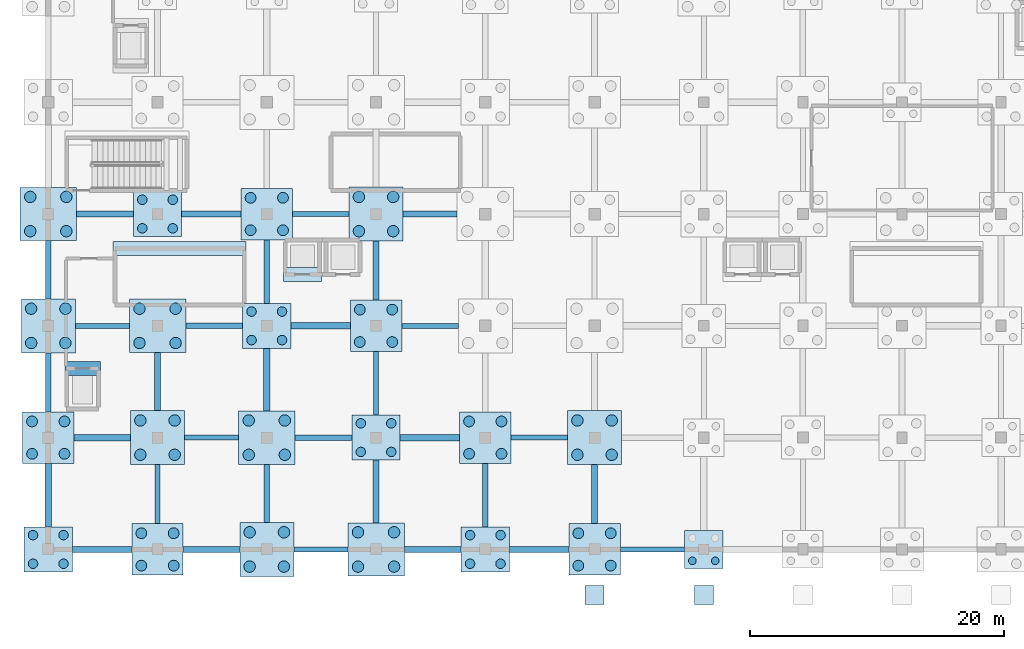
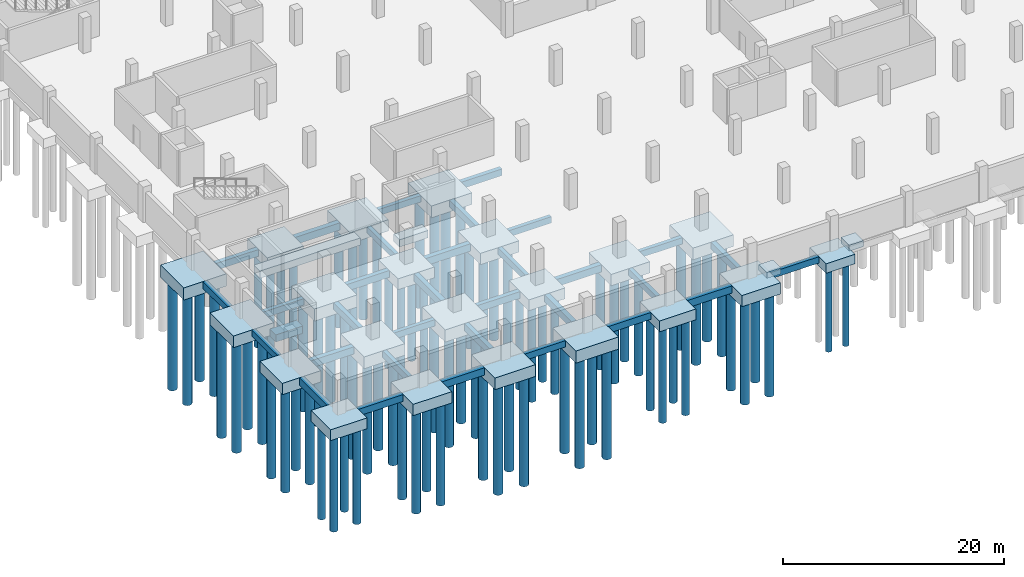
# One storey, part 1 of 28: 82 piles, 58 footings.
"""IFC4 building model written with IfcOpenShell, lengths in metres."""

from ifc_helpers import new_model, si_unit, direction, frame, origin, origin_2d, place, context, subcontext, project, spatial, rectangle, circle, extrude, material, material_profile, profile_set, type_object, element, save


model = new_model("IFC4")

# Units and contexts
model_context = context("Model", 3, precision=1e-05, world=origin(), true_north=direction((0.0, 1.0)))
body_context = subcontext(model_context, "Body", "Model", "MODEL_VIEW")
ifc_project = project(units=[si_unit("LENGTHUNIT", "METRE"), si_unit("AREAUNIT", "SQUARE_METRE"), si_unit("VOLUMEUNIT", "CUBIC_METRE"), si_unit("PLANEANGLEUNIT", "RADIAN"), si_unit("MASSUNIT", "GRAM", prefix="KILO")], contexts=[model_context])

# Site, building, storey
site_placement = place(None, origin())
site = spatial("IfcSite", under=ifc_project, at=site_placement, CompositionType="ELEMENT")
building_placement = place(site_placement, origin())
building = spatial("IfcBuilding", under=site, at=building_placement, Name="Varnakota Cinema and Media Centre", CompositionType="ELEMENT")
storey_placement = place(building_placement, frame((0.0, 0.0, -4.199951171875)))
storey = spatial("IfcBuildingStorey", under=building, at=storey_placement, Name="B1", CompositionType="ELEMENT", Elevation=-4.199951171875)

# Footings
ifc_material_1 = material(Name="Concrete M35", Category="concrete")
ifc_material_profile_1 = material_profile(ifc_material_1, rectangle(XDim=0.39990234375, YDim=0.699951171875, at=origin_2d()), Name="FB 400x700")
ifc_profile_set_1 = profile_set([ifc_material_profile_1], Name="Concrete M35")
footing_type_1 = type_object("IfcFootingType", Name="FB-400x700", PredefinedType="FOOTING_BEAM", material=ifc_profile_set_1)
footing_1_placement = place(storey_placement, frame((19.324951171875, 0.0, -0.60009765625), z_axis=(1.0, 0.0, 0.0), x_axis=(0.0, 1.0, 0.0)))
element("IfcFooting", 1, at=footing_1_placement, inside=storey, type_object=footing_type_1, Name="Foundation tie beam C-D/1", PredefinedType="FOOTING_BEAM", context=body_context, shape_type="SweptSolid", body=[
    extrude(rectangle(XDim=0.39990234375, YDim=0.699951171875, at=origin_2d()), origin(), (0.0, 0.0, 1.0), 4.25),
])
footing_2_placement = place(storey_placement, frame((45.02490234375, 0.0, -0.60009765625), z_axis=(1.0, 0.0, 0.0), x_axis=(0.0, 1.0, 0.0)))
element("IfcFooting", 2, at=footing_2_placement, inside=storey, type_object=footing_type_1, Name="Foundation tie beam F-G/1", PredefinedType="FOOTING_BEAM", context=body_context, shape_type="SweptSolid", body=[
    extrude(rectangle(XDim=0.39990234375, YDim=0.699951171875, at=origin_2d()), origin(), (0.0, 0.0, 1.0), 5.0751953125),
])
footing_3_placement = place(storey_placement, frame((10.72509765625, 8.800048828125, -0.60009765625), z_axis=(1.0, 0.0, 0.0), x_axis=(0.0, 1.0, 0.0)))
element("IfcFooting", 3, at=footing_3_placement, inside=storey, type_object=footing_type_1, Name="Foundation tie beam B-C/2", PredefinedType="FOOTING_BEAM", context=body_context, shape_type="SweptSolid", body=[
    extrude(rectangle(XDim=0.39990234375, YDim=0.699951171875, at=origin_2d()), origin(), (0.0, 0.0, 1.0), 4.25),
])
footing_4_placement = place(storey_placement, frame((36.425048828125, 8.800048828125, -0.60009765625), z_axis=(1.0, 0.0, 0.0), x_axis=(0.0, 1.0, 0.0)))
element("IfcFooting", 4, at=footing_4_placement, inside=storey, type_object=footing_type_1, Name="Foundation tie beam E-F/2", PredefinedType="FOOTING_BEAM", context=body_context, shape_type="SweptSolid", body=[
    extrude(rectangle(XDim=0.39990234375, YDim=0.699951171875, at=origin_2d()), origin(), (0.0, 0.0, 1.0), 4.449951171875),
])
footing_5_placement = place(storey_placement, frame((2.125, 17.60009765625, -0.60009765625), z_axis=(1.0, 0.0, 0.0), x_axis=(0.0, 1.0, 0.0)))
element("IfcFooting", 5, at=footing_5_placement, inside=storey, type_object=footing_type_1, Name="Foundation tie beam A-B/3", PredefinedType="FOOTING_BEAM", context=body_context, shape_type="SweptSolid", body=[
    extrude(rectangle(XDim=0.39990234375, YDim=0.699951171875, at=origin_2d()), origin(), (0.0, 0.0, 1.0), 4.25),
])
for number, where, z_axis, x_axis, name in (
    (6, (27.824951171875, 17.60009765625, -0.60009765625), (1.0, 0.0, 0.0), (0.0, 1.0, 0.0), "Foundation tie beam D-E/3"),
    (7, (19.22509765625, 26.39990234375, -0.60009765625), (1.0, 0.0, 0.0), (0.0, 1.0, 0.0), "Foundation tie beam C-D/4"),
):
    element("IfcFooting", number, at=place(storey_placement, frame(where, z_axis=z_axis, x_axis=x_axis)), inside=storey, type_object=footing_type_1, Name=name, PredefinedType="FOOTING_BEAM", context=body_context, shape_type="SweptSolid", body=[
        extrude(rectangle(XDim=0.39990234375, YDim=0.699951171875, at=origin_2d()), origin(), (0.0, 0.0, 1.0), 4.449951171875),
    ])
for number, where, z_axis, x_axis, name in (
    (8, (0.0, 10.824951171875, -0.60009765625), (0.0, 1.0, 0.0), (-1.0, 0.0, 0.0), "Foundation tie beam A/2-3"),
    (9, (8.60009765625, 2.02490234375, -0.60009765625), (0.0, 1.0, 0.0), (-1.0, 0.0, 0.0), "Foundation tie beam B/1-2"),
):
    element("IfcFooting", number, at=place(storey_placement, frame(where, z_axis=z_axis, x_axis=x_axis)), inside=storey, type_object=footing_type_1, Name=name, PredefinedType="FOOTING_BEAM", context=body_context, shape_type="SweptSolid", body=[
        extrude(rectangle(XDim=0.39990234375, YDim=0.699951171875, at=origin_2d()), origin(), (0.0, 0.0, 1.0), 4.650146484375),
    ])
for number, where, z_axis, x_axis, name in (
    (10, (17.199951171875, 19.375, -0.60009765625), (0.0, 1.0, 0.0), (-1.0, 0.0, 0.0), "Foundation tie beam C/3-4"),
    (11, (25.800048828125, 10.574951171875, -0.60009765625), (0.0, 1.0, 0.0), (-1.0, 0.0, 0.0), "Foundation tie beam D/2-3"),
    (12, (34.39990234375, 1.77490234375, -0.60009765625), (0.0, 1.0, 0.0), (-1.0, 0.0, 0.0), "Foundation tie beam E/1-2"),
):
    element("IfcFooting", number, at=place(storey_placement, frame(where, z_axis=z_axis, x_axis=x_axis)), inside=storey, type_object=footing_type_1, Name=name, PredefinedType="FOOTING_BEAM", context=body_context, shape_type="SweptSolid", body=[
        extrude(rectangle(XDim=0.39990234375, YDim=0.699951171875, at=origin_2d()), origin(), (0.0, 0.0, 1.0), 5.0),
    ])
ifc_material_2 = material(Name="Concrete M35", Category="concrete")
ifc_material_profile_2 = material_profile(ifc_material_2, rectangle(XDim=0.449951171875, YDim=0.75, at=origin_2d()), Name="FB 450x750")
ifc_profile_set_2 = profile_set([ifc_material_profile_2], Name="Concrete M35")
footing_type_2 = type_object("IfcFootingType", Name="FB-450x750", PredefinedType="FOOTING_BEAM", material=ifc_profile_set_2)
footing_6_placement = place(storey_placement, frame((1.89990234375, 0.0, -0.625), z_axis=(1.0, 0.0, 0.0), x_axis=(0.0, 1.0, 0.0)))
element("IfcFooting", 13, at=footing_6_placement, inside=storey, type_object=footing_type_2, Name="Foundation tie beam A-B/1", PredefinedType="FOOTING_BEAM", context=body_context, shape_type="SweptSolid", body=[
    extrude(rectangle(XDim=0.449951171875, YDim=0.75, at=origin_2d()), origin(), (0.0, 0.0, 1.0), 4.675048828125),
])
footing_7_placement = place(storey_placement, frame((28.02490234375, 0.0, -0.625), z_axis=(1.0, 0.0, 0.0), x_axis=(0.0, 1.0, 0.0)))
element("IfcFooting", 14, at=footing_7_placement, inside=storey, type_object=footing_type_2, Name="Foundation tie beam D-E/1", PredefinedType="FOOTING_BEAM", context=body_context, shape_type="SweptSolid", body=[
    extrude(rectangle(XDim=0.449951171875, YDim=0.75, at=origin_2d()), origin(), (0.0, 0.0, 1.0), 4.47509765625),
])
footing_8_placement = place(storey_placement, frame((19.425048828125, 8.800048828125, -0.625), z_axis=(1.0, 0.0, 0.0), x_axis=(0.0, 1.0, 0.0)))
element("IfcFooting", 15, at=footing_8_placement, inside=storey, type_object=footing_type_2, Name="Foundation tie beam C-D/2", PredefinedType="FOOTING_BEAM", context=body_context, shape_type="SweptSolid", body=[
    extrude(rectangle(XDim=0.449951171875, YDim=0.75, at=origin_2d()), origin(), (0.0, 0.0, 1.0), 4.474853515625),
])
footing_9_placement = place(storey_placement, frame((10.824951171875, 17.60009765625, -0.625), z_axis=(1.0, 0.0, 0.0), x_axis=(0.0, 1.0, 0.0)))
element("IfcFooting", 16, at=footing_9_placement, inside=storey, type_object=footing_type_2, Name="Foundation tie beam B-C/3", PredefinedType="FOOTING_BEAM", context=body_context, shape_type="SweptSolid", body=[
    extrude(rectangle(XDim=0.449951171875, YDim=0.75, at=origin_2d()), origin(), (0.0, 0.0, 1.0), 4.47509765625),
])
footing_10_placement = place(storey_placement, frame((2.22509765625, 26.39990234375, -0.625), z_axis=(1.0, 0.0, 0.0), x_axis=(0.0, 1.0, 0.0)))
element("IfcFooting", 17, at=footing_10_placement, inside=storey, type_object=footing_type_2, Name="Foundation tie beam A-B/4", PredefinedType="FOOTING_BEAM", context=body_context, shape_type="SweptSolid", body=[
    extrude(rectangle(XDim=0.449951171875, YDim=0.75, at=origin_2d()), origin(), (0.0, 0.0, 1.0), 4.474853515625),
])
footing_11_placement = place(storey_placement, frame((27.925048828125, 26.39990234375, -0.625), z_axis=(1.0, 0.0, 0.0), x_axis=(0.0, 1.0, 0.0)))
element("IfcFooting", 18, at=footing_11_placement, inside=storey, type_object=footing_type_2, Name="Foundation tie beam D-E/4", PredefinedType="FOOTING_BEAM", context=body_context, shape_type="SweptSolid", body=[
    extrude(rectangle(XDim=0.449951171875, YDim=0.75, at=origin_2d()), origin(), (0.0, 0.0, 1.0), 4.25),
])
for number, where, z_axis, x_axis, name in (
    (19, (0.0, 19.72509765625, -0.625), (0.0, 1.0, 0.0), (-1.0, 0.0, 0.0), "Foundation tie beam A/3-4"),
    (20, (8.60009765625, 10.925048828125, -0.625), (0.0, 1.0, 0.0), (-1.0, 0.0, 0.0), "Foundation tie beam B/2-3"),
    (21, (17.199951171875, 2.125, -0.625), (0.0, 1.0, 0.0), (-1.0, 0.0, 0.0), "Foundation tie beam C/1-2"),
):
    element("IfcFooting", number, at=place(storey_placement, frame(where, z_axis=z_axis, x_axis=x_axis)), inside=storey, type_object=footing_type_2, Name=name, PredefinedType="FOOTING_BEAM", context=body_context, shape_type="SweptSolid", body=[
        extrude(rectangle(XDim=0.449951171875, YDim=0.75, at=origin_2d()), origin(), (0.0, 0.0, 1.0), 4.574951171875),
    ])
footing_12_placement = place(storey_placement, frame((25.800048828125, 19.625, -0.625), z_axis=(0.0, 1.0, 0.0), x_axis=(-1.0, 0.0, 0.0)))
element("IfcFooting", 22, at=footing_12_placement, inside=storey, type_object=footing_type_2, Name="Foundation tie beam D/3-4", PredefinedType="FOOTING_BEAM", context=body_context, shape_type="SweptSolid", body=[
    extrude(rectangle(XDim=0.449951171875, YDim=0.75, at=origin_2d()), origin(), (0.0, 0.0, 1.0), 4.64990234375),
])
footing_13_placement = place(storey_placement, frame((43.0, 2.02490234375, -0.625), z_axis=(0.0, 1.0, 0.0), x_axis=(-1.0, 0.0, 0.0)))
element("IfcFooting", 23, at=footing_13_placement, inside=storey, type_object=footing_type_2, Name="Foundation tie beam F/1-2", PredefinedType="FOOTING_BEAM", context=body_context, shape_type="SweptSolid", body=[
    extrude(rectangle(XDim=0.449951171875, YDim=0.75, at=origin_2d()), origin(), (0.0, 0.0, 1.0), 4.650146484375),
])
ifc_material_3 = material(Name="Concrete M35", Category="concrete")
ifc_material_profile_3 = material_profile(ifc_material_3, rectangle(XDim=0.5, YDim=0.800048828125, at=origin_2d()), Name="FB 500x800")
ifc_profile_set_3 = profile_set([ifc_material_profile_3], Name="Concrete M35")
footing_type_3 = type_object("IfcFootingType", Name="FB-500x800", PredefinedType="FOOTING_BEAM", material=ifc_profile_set_3)
footing_14_placement = place(storey_placement, frame((10.625, 0.0, -0.650146484375), z_axis=(1.0, 0.0, 0.0), x_axis=(0.0, 1.0, 0.0)))
element("IfcFooting", 24, at=footing_14_placement, inside=storey, type_object=footing_type_3, Name="Foundation tie beam B-C/1", PredefinedType="FOOTING_BEAM", context=body_context, shape_type="SweptSolid", body=[
    extrude(rectangle(XDim=0.5, YDim=0.800048828125, at=origin_2d()), origin(), (0.0, 0.0, 1.0), 4.449951171875),
])
footing_15_placement = place(storey_placement, frame((36.300048828125, 0.0, -0.650146484375), z_axis=(1.0, 0.0, 0.0), x_axis=(0.0, 1.0, 0.0)))
element("IfcFooting", 25, at=footing_15_placement, inside=storey, type_object=footing_type_3, Name="Foundation tie beam E-F/1", PredefinedType="FOOTING_BEAM", context=body_context, shape_type="SweptSolid", body=[
    extrude(rectangle(XDim=0.5, YDim=0.800048828125, at=origin_2d()), origin(), (0.0, 0.0, 1.0), 4.675048828125),
])
footing_16_placement = place(storey_placement, frame((2.02490234375, 8.800048828125, -0.650146484375), z_axis=(1.0, 0.0, 0.0), x_axis=(0.0, 1.0, 0.0)))
element("IfcFooting", 26, at=footing_16_placement, inside=storey, type_object=footing_type_3, Name="Foundation tie beam A-B/2", PredefinedType="FOOTING_BEAM", context=body_context, shape_type="SweptSolid", body=[
    extrude(rectangle(XDim=0.5, YDim=0.800048828125, at=origin_2d()), origin(), (0.0, 0.0, 1.0), 4.4501953125),
])
footing_17_placement = place(storey_placement, frame((27.699951171875, 8.800048828125, -0.650146484375), z_axis=(1.0, 0.0, 0.0), x_axis=(0.0, 1.0, 0.0)))
element("IfcFooting", 27, at=footing_17_placement, inside=storey, type_object=footing_type_3, Name="Foundation tie beam D-E/2", PredefinedType="FOOTING_BEAM", context=body_context, shape_type="SweptSolid", body=[
    extrude(rectangle(XDim=0.5, YDim=0.800048828125, at=origin_2d()), origin(), (0.0, 0.0, 1.0), 4.675048828125),
])
footing_18_placement = place(storey_placement, frame((19.10009765625, 17.60009765625, -0.650146484375), z_axis=(1.0, 0.0, 0.0), x_axis=(0.0, 1.0, 0.0)))
element("IfcFooting", 28, at=footing_18_placement, inside=storey, type_object=footing_type_3, Name="Foundation tie beam C-D/3", PredefinedType="FOOTING_BEAM", context=body_context, shape_type="SweptSolid", body=[
    extrude(rectangle(XDim=0.5, YDim=0.800048828125, at=origin_2d()), origin(), (0.0, 0.0, 1.0), 4.6748046875),
])
footing_19_placement = place(storey_placement, frame((10.5, 26.39990234375, -0.650146484375), z_axis=(1.0, 0.0, 0.0), x_axis=(0.0, 1.0, 0.0)))
element("IfcFooting", 29, at=footing_19_placement, inside=storey, type_object=footing_type_3, Name="Foundation tie beam B-C/4", PredefinedType="FOOTING_BEAM", context=body_context, shape_type="SweptSolid", body=[
    extrude(rectangle(XDim=0.5, YDim=0.800048828125, at=origin_2d()), origin(), (0.0, 0.0, 1.0), 4.675048828125),
])
footing_20_placement = place(storey_placement, frame((0.0, 1.77490234375, -0.650146484375), z_axis=(0.0, 1.0, 0.0), x_axis=(-1.0, 0.0, 0.0)))
element("IfcFooting", 30, at=footing_20_placement, inside=storey, type_object=footing_type_3, Name="Foundation tie beam A/1-2", PredefinedType="FOOTING_BEAM", context=body_context, shape_type="SweptSolid", body=[
    extrude(rectangle(XDim=0.5, YDim=0.800048828125, at=origin_2d()), origin(), (0.0, 0.0, 1.0), 5.0),
])
footing_21_placement = place(storey_placement, frame((17.199951171875, 10.89990234375, -0.650146484375), z_axis=(0.0, 1.0, 0.0), x_axis=(-1.0, 0.0, 0.0)))
element("IfcFooting", 31, at=footing_21_placement, inside=storey, type_object=footing_type_3, Name="Foundation tie beam C/2-3", PredefinedType="FOOTING_BEAM", context=body_context, shape_type="SweptSolid", body=[
    extrude(rectangle(XDim=0.5, YDim=0.800048828125, at=origin_2d()), origin(), (0.0, 0.0, 1.0), 4.925048828125),
])
footing_22_placement = place(storey_placement, frame((25.800048828125, 2.10009765625, -0.650146484375), z_axis=(0.0, 1.0, 0.0), x_axis=(-1.0, 0.0, 0.0)))
element("IfcFooting", 32, at=footing_22_placement, inside=storey, type_object=footing_type_3, Name="Foundation tie beam D/1-2", PredefinedType="FOOTING_BEAM", context=body_context, shape_type="SweptSolid", body=[
    extrude(rectangle(XDim=0.5, YDim=0.800048828125, at=origin_2d()), origin(), (0.0, 0.0, 1.0), 4.9248046875),
])
ifc_material_4 = material(Name="Concrete M35", Category="concrete")
footing_type_4 = type_object("IfcFootingType", Name="PC-4P-600", PredefinedType="PILE_CAP", material=ifc_material_4)
footing_23_placement = place(storey_placement, frame((51.60009765625, 0.0, -1.30029296875), z_axis=(0.0, 0.0, 1.0), x_axis=(1.0, 0.0, 0.0)))
element("IfcFooting", 33, at=footing_23_placement, inside=storey, type_object=footing_type_4, Name="Pile cap G/1", PredefinedType="PILE_CAP", context=body_context, shape_type="SweptSolid", body=[
    extrude(rectangle(XDim=3.0, YDim=3.0, at=origin_2d()), origin(), (0.0, 0.0, 1.0), 1.050048828125),
])
ifc_material_5 = material(Name="Concrete M35", Category="concrete")
footing_type_5 = type_object("IfcFootingType", Name="PC-4P-750R", PredefinedType="PILE_CAP", material=ifc_material_5)
for number, where, z_axis, x_axis, name in (
    (34, (0.0, 0.0, -1.4501953125), (0.0, 0.0, 1.0), (1.0, 0.0, 0.0), "Pile cap A/1"),
    (35, (8.60009765625, 26.39990234375, -1.4501953125), (0.0, 0.0, 1.0), (1.0, 0.0, 0.0), "Pile cap B/4"),
    (36, (17.199951171875, 17.60009765625, -1.4501953125), (0.0, 0.0, 1.0), (1.0, 0.0, 0.0), "Pile cap C/3"),
    (37, (25.800048828125, 8.800048828125, -1.4501953125), (0.0, 0.0, 1.0), (1.0, 0.0, 0.0), "Pile cap D/2"),
    (38, (34.39990234375, 0.0, -1.4501953125), (0.0, 0.0, 1.0), (1.0, 0.0, 0.0), "Pile cap E/1"),
):
    element("IfcFooting", number, at=place(storey_placement, frame(where, z_axis=z_axis, x_axis=x_axis)), inside=storey, type_object=footing_type_5, Name=name, PredefinedType="PILE_CAP", context=body_context, shape_type="SweptSolid", body=[
        extrude(rectangle(XDim=3.800048828125, YDim=3.550048828125, at=origin_2d()), origin(), (0.0, 0.0, 1.0), 1.199951171875),
    ])
ifc_material_6 = material(Name="Concrete M35", Category="concrete")
footing_type_6 = type_object("IfcFootingType", Name="PC-4P-850", PredefinedType="PILE_CAP", material=ifc_material_6)
for number, where, z_axis, x_axis, name in (
    (39, (0.0, 8.800048828125, -1.5), (0.0, 0.0, 1.0), (1.0, 0.0, 0.0), "Pile cap A/2"),
    (40, (8.60009765625, 0.0, -1.5), (0.0, 0.0, 1.0), (1.0, 0.0, 0.0), "Pile cap B/1"),
    (41, (17.199951171875, 26.39990234375, -1.5), (0.0, 0.0, 1.0), (1.0, 0.0, 0.0), "Pile cap C/4"),
    (42, (25.800048828125, 17.60009765625, -1.5), (0.0, 0.0, 1.0), (1.0, 0.0, 0.0), "Pile cap D/3"),
    (43, (34.39990234375, 8.800048828125, -1.5), (0.0, 0.0, 1.0), (1.0, 0.0, 0.0), "Pile cap E/2"),
    (44, (43.0, 0.0, -1.5), (0.0, 0.0, 1.0), (1.0, 0.0, 0.0), "Pile cap F/1"),
):
    element("IfcFooting", number, at=place(storey_placement, frame(where, z_axis=z_axis, x_axis=x_axis)), inside=storey, type_object=footing_type_6, Name=name, PredefinedType="PILE_CAP", context=body_context, shape_type="SweptSolid", body=[
        extrude(rectangle(XDim=4.050048828125, YDim=4.050048828125, at=origin_2d()), origin(), (0.0, 0.0, 1.0), 1.25),
    ])
ifc_material_7 = material(Name="Concrete M35", Category="concrete")
footing_type_7 = type_object("IfcFootingType", Name="PC-4P-900", PredefinedType="PILE_CAP", material=ifc_material_7)
for number, where, z_axis, x_axis, name in (
    (45, (0.0, 17.60009765625, -1.55029296875), (0.0, 0.0, 1.0), (1.0, 0.0, 0.0), "Pile cap A/3"),
    (46, (8.60009765625, 8.800048828125, -1.55029296875), (0.0, 0.0, 1.0), (1.0, 0.0, 0.0), "Pile cap B/2"),
    (47, (17.199951171875, 0.0, -1.55029296875), (0.0, 0.0, 1.0), (1.0, 0.0, 0.0), "Pile cap C/1"),
    (48, (25.800048828125, 26.39990234375, -1.55029296875), (0.0, 0.0, 1.0), (1.0, 0.0, 0.0), "Pile cap D/4"),
    (49, (43.0, 8.800048828125, -1.55029296875), (0.0, 0.0, 1.0), (1.0, 0.0, 0.0), "Pile cap F/2"),
):
    element("IfcFooting", number, at=place(storey_placement, frame(where, z_axis=z_axis, x_axis=x_axis)), inside=storey, type_object=footing_type_7, Name=name, PredefinedType="PILE_CAP", context=body_context, shape_type="SweptSolid", body=[
        extrude(rectangle(XDim=4.25, YDim=4.25, at=origin_2d()), origin(), (0.0, 0.0, 1.0), 1.300048828125),
    ])
ifc_material_8 = material(Name="Concrete M35", Category="concrete")
footing_type_8 = type_object("IfcFootingType", Name="PC-4P-900W", PredefinedType="PILE_CAP", material=ifc_material_8)
for number, where, z_axis, x_axis, name in (
    (50, (0.0, 26.39990234375, -1.60009765625), (0.0, 0.0, 1.0), (1.0, 0.0, 0.0), "Pile cap A/4"),
    (51, (8.60009765625, 17.60009765625, -1.60009765625), (0.0, 0.0, 1.0), (1.0, 0.0, 0.0), "Pile cap B/3"),
    (52, (17.199951171875, 8.800048828125, -1.60009765625), (0.0, 0.0, 1.0), (1.0, 0.0, 0.0), "Pile cap C/2"),
    (53, (25.800048828125, 0.0, -1.60009765625), (0.0, 0.0, 1.0), (1.0, 0.0, 0.0), "Pile cap D/1"),
):
    element("IfcFooting", number, at=place(storey_placement, frame(where, z_axis=z_axis, x_axis=x_axis)), inside=storey, type_object=footing_type_8, Name=name, PredefinedType="PILE_CAP", context=body_context, shape_type="SweptSolid", body=[
        extrude(rectangle(XDim=4.449951171875, YDim=4.199951171875, at=origin_2d()), origin(), (0.0, 0.0, 1.0), 1.35009765625),
    ])
ifc_material_9 = material(Name="Concrete M35", Category="concrete")
footing_type_9 = type_object("IfcFootingType", Name="PF-150", PredefinedType="PAD_FOOTING", material=ifc_material_9)
for number, where, z_axis, x_axis, name in (
    (54, (43.0, -3.60009765625, 2.594970703125), (0.0, 0.0, 1.0), (1.0, 0.0, 0.0), "South forecourt edge pad footing 1"),
    (55, (51.60009765625, -3.60009765625, 2.594970703125), (0.0, 0.0, 1.0), (1.0, 0.0, 0.0), "South forecourt edge pad footing 2"),
):
    element("IfcFooting", number, at=place(storey_placement, frame(where, z_axis=z_axis, x_axis=x_axis)), inside=storey, type_object=footing_type_9, Name=name, PredefinedType="PAD_FOOTING", context=body_context, shape_type="SweptSolid", body=[
        extrude(rectangle(XDim=1.5, YDim=1.5, at=origin_2d()), origin(), (0.0, 0.0, 1.0), 0.64990234375),
    ])

# Piles
ifc_material_10 = material(Name="Concrete M35", Category="concrete")
ifc_material_profile_4 = material_profile(ifc_material_10, circle(Radius=0.300048828125, at=origin_2d()), Name="PILE D600")
ifc_profile_set_4 = profile_set([ifc_material_profile_4], Name="Concrete M35")
pile_type_1 = type_object("IfcPileType", Name="PILE-D600", PredefinedType="BORED", material=ifc_profile_set_4)
for number, where, z_axis, x_axis, name in (
    (56, (50.699951171875, -0.89990234375, -1.199951171875), (0.0, 0.0, -1.0), (1.0, 0.0, 0.0), "Bored pile G/1-1"),
    (57, (52.5, -0.89990234375, -1.199951171875), (0.0, 0.0, -1.0), (1.0, 0.0, 0.0), "Bored pile G/1-2"),
):
    element("IfcPile", number, at=place(storey_placement, frame(where, z_axis=z_axis, x_axis=x_axis)), inside=storey, type_object=pile_type_1, Name=name, PredefinedType="BORED", context=body_context, shape_type="SweptSolid", body=[
        extrude(circle(Radius=0.300048828125, at=origin_2d()), origin(), (0.0, 0.0, 1.0), 9.199951171875),
    ])
ifc_material_11 = material(Name="Concrete M35", Category="concrete")
ifc_material_profile_5 = material_profile(ifc_material_11, circle(Radius=0.375, at=origin_2d()), Name="PILE D750")
ifc_profile_set_5 = profile_set([ifc_material_profile_5], Name="Concrete M35")
pile_type_2 = type_object("IfcPileType", Name="PILE-D750", PredefinedType="BORED", material=ifc_profile_set_5)
for number, where, z_axis, x_axis, name in (
    (58, (-1.199951171875, -1.125, -1.35009765625), (0.0, 0.0, -1.0), (1.0, 0.0, 0.0), "Bored pile A/1-1"),
    (59, (1.199951171875, -1.125, -1.35009765625), (0.0, 0.0, -1.0), (1.0, 0.0, 0.0), "Bored pile A/1-2"),
    (60, (-1.199951171875, 1.125, -1.35009765625), (0.0, 0.0, -1.0), (1.0, 0.0, 0.0), "Bored pile A/1-3"),
    (61, (1.199951171875, 1.125, -1.35009765625), (0.0, 0.0, -1.0), (1.0, 0.0, 0.0), "Bored pile A/1-4"),
    (62, (7.39990234375, 25.27490234375, -1.35009765625), (0.0, 0.0, -1.0), (1.0, 0.0, 0.0), "Bored pile B/4-1"),
    (63, (9.800048828125, 25.27490234375, -1.35009765625), (0.0, 0.0, -1.0), (1.0, 0.0, 0.0), "Bored pile B/4-2"),
    (64, (7.39990234375, 27.52490234375, -1.35009765625), (0.0, 0.0, -1.0), (1.0, 0.0, 0.0), "Bored pile B/4-3"),
    (65, (9.800048828125, 27.52490234375, -1.35009765625), (0.0, 0.0, -1.0), (1.0, 0.0, 0.0), "Bored pile B/4-4"),
    (66, (16.0, 16.47509765625, -1.35009765625), (0.0, 0.0, -1.0), (1.0, 0.0, 0.0), "Bored pile C/3-1"),
    (67, (18.39990234375, 16.47509765625, -1.35009765625), (0.0, 0.0, -1.0), (1.0, 0.0, 0.0), "Bored pile C/3-2"),
    (68, (16.0, 18.72509765625, -1.35009765625), (0.0, 0.0, -1.0), (1.0, 0.0, 0.0), "Bored pile C/3-3"),
    (69, (18.39990234375, 18.72509765625, -1.35009765625), (0.0, 0.0, -1.0), (1.0, 0.0, 0.0), "Bored pile C/3-4"),
    (70, (24.60009765625, 7.675048828125, -1.35009765625), (0.0, 0.0, -1.0), (1.0, 0.0, 0.0), "Bored pile D/2-1"),
    (71, (27.0, 7.675048828125, -1.35009765625), (0.0, 0.0, -1.0), (1.0, 0.0, 0.0), "Bored pile D/2-2"),
    (72, (24.60009765625, 9.925048828125, -1.35009765625), (0.0, 0.0, -1.0), (1.0, 0.0, 0.0), "Bored pile D/2-3"),
    (73, (27.0, 9.925048828125, -1.35009765625), (0.0, 0.0, -1.0), (1.0, 0.0, 0.0), "Bored pile D/2-4"),
    (74, (33.199951171875, -1.125, -1.35009765625), (0.0, 0.0, -1.0), (1.0, 0.0, 0.0), "Bored pile E/1-1"),
    (75, (35.60009765625, -1.125, -1.35009765625), (0.0, 0.0, -1.0), (1.0, 0.0, 0.0), "Bored pile E/1-2"),
    (76, (33.199951171875, 1.125, -1.35009765625), (0.0, 0.0, -1.0), (1.0, 0.0, 0.0), "Bored pile E/1-3"),
    (77, (35.60009765625, 1.125, -1.35009765625), (0.0, 0.0, -1.0), (1.0, 0.0, 0.0), "Bored pile E/1-4"),
):
    element("IfcPile", number, at=place(storey_placement, frame(where, z_axis=z_axis, x_axis=x_axis)), inside=storey, type_object=pile_type_2, Name=name, PredefinedType="BORED", context=body_context, shape_type="SweptSolid", body=[
        extrude(circle(Radius=0.375, at=origin_2d()), origin(), (0.0, 0.0, 1.0), 10.60009765625),
    ])
ifc_material_12 = material(Name="Concrete M35", Category="concrete")
ifc_material_profile_6 = material_profile(ifc_material_12, circle(Radius=0.425048828125, at=origin_2d()), Name="PILE D850")
ifc_profile_set_6 = profile_set([ifc_material_profile_6], Name="Concrete M35")
pile_type_3 = type_object("IfcPileType", Name="PILE-D850", PredefinedType="BORED", material=ifc_profile_set_6)
for number, where, z_axis, x_axis, name in (
    (78, (-1.27490234375, 7.52490234375, -1.400146484375), (0.0, 0.0, -1.0), (1.0, 0.0, 0.0), "Bored pile A/2-1"),
    (79, (1.27490234375, 7.52490234375, -1.400146484375), (0.0, 0.0, -1.0), (1.0, 0.0, 0.0), "Bored pile A/2-2"),
    (80, (-1.27490234375, 10.074951171875, -1.400146484375), (0.0, 0.0, -1.0), (1.0, 0.0, 0.0), "Bored pile A/2-3"),
    (81, (1.27490234375, 10.074951171875, -1.400146484375), (0.0, 0.0, -1.0), (1.0, 0.0, 0.0), "Bored pile A/2-4"),
    (82, (7.324951171875, -1.27490234375, -1.400146484375), (0.0, 0.0, -1.0), (1.0, 0.0, 0.0), "Bored pile B/1-1"),
    (83, (9.875, -1.27490234375, -1.400146484375), (0.0, 0.0, -1.0), (1.0, 0.0, 0.0), "Bored pile B/1-2"),
    (84, (7.324951171875, 1.27490234375, -1.400146484375), (0.0, 0.0, -1.0), (1.0, 0.0, 0.0), "Bored pile B/1-3"),
    (85, (9.875, 1.27490234375, -1.400146484375), (0.0, 0.0, -1.0), (1.0, 0.0, 0.0), "Bored pile B/1-4"),
    (86, (15.925048828125, 25.125, -1.400146484375), (0.0, 0.0, -1.0), (1.0, 0.0, 0.0), "Bored pile C/4-1"),
    (87, (18.47509765625, 25.125, -1.400146484375), (0.0, 0.0, -1.0), (1.0, 0.0, 0.0), "Bored pile C/4-2"),
    (88, (15.925048828125, 27.675048828125, -1.400146484375), (0.0, 0.0, -1.0), (1.0, 0.0, 0.0), "Bored pile C/4-3"),
    (89, (18.47509765625, 27.675048828125, -1.400146484375), (0.0, 0.0, -1.0), (1.0, 0.0, 0.0), "Bored pile C/4-4"),
    (90, (24.52490234375, 16.324951171875, -1.400146484375), (0.0, 0.0, -1.0), (1.0, 0.0, 0.0), "Bored pile D/3-1"),
    (91, (27.074951171875, 16.324951171875, -1.400146484375), (0.0, 0.0, -1.0), (1.0, 0.0, 0.0), "Bored pile D/3-2"),
    (92, (24.52490234375, 18.875, -1.400146484375), (0.0, 0.0, -1.0), (1.0, 0.0, 0.0), "Bored pile D/3-3"),
    (93, (27.074951171875, 18.875, -1.400146484375), (0.0, 0.0, -1.0), (1.0, 0.0, 0.0), "Bored pile D/3-4"),
    (94, (33.125, 7.52490234375, -1.400146484375), (0.0, 0.0, -1.0), (1.0, 0.0, 0.0), "Bored pile E/2-1"),
    (95, (35.675048828125, 7.52490234375, -1.400146484375), (0.0, 0.0, -1.0), (1.0, 0.0, 0.0), "Bored pile E/2-2"),
    (96, (33.125, 10.074951171875, -1.400146484375), (0.0, 0.0, -1.0), (1.0, 0.0, 0.0), "Bored pile E/2-3"),
    (97, (35.675048828125, 10.074951171875, -1.400146484375), (0.0, 0.0, -1.0), (1.0, 0.0, 0.0), "Bored pile E/2-4"),
    (98, (41.72509765625, -1.27490234375, -1.400146484375), (0.0, 0.0, -1.0), (1.0, 0.0, 0.0), "Bored pile F/1-1"),
    (99, (44.27490234375, -1.27490234375, -1.400146484375), (0.0, 0.0, -1.0), (1.0, 0.0, 0.0), "Bored pile F/1-2"),
    (100, (41.72509765625, 1.27490234375, -1.400146484375), (0.0, 0.0, -1.0), (1.0, 0.0, 0.0), "Bored pile F/1-3"),
    (101, (44.27490234375, 1.27490234375, -1.400146484375), (0.0, 0.0, -1.0), (1.0, 0.0, 0.0), "Bored pile F/1-4"),
):
    element("IfcPile", number, at=place(storey_placement, frame(where, z_axis=z_axis, x_axis=x_axis)), inside=storey, type_object=pile_type_3, Name=name, PredefinedType="BORED", context=body_context, shape_type="SweptSolid", body=[
        extrude(circle(Radius=0.425048828125, at=origin_2d()), origin(), (0.0, 0.0, 1.0), 11.39990234375),
    ])
ifc_material_13 = material(Name="Concrete M35", Category="concrete")
ifc_material_profile_7 = material_profile(ifc_material_13, circle(Radius=0.449951171875, at=origin_2d()), Name="PILE D900")
ifc_profile_set_7 = profile_set([ifc_material_profile_7], Name="Concrete M35")
pile_type_4 = type_object("IfcPileType", Name="PILE-D900", PredefinedType="BORED", material=ifc_profile_set_7)
for number, where, z_axis, x_axis, name in (
    (102, (-1.35009765625, 16.25, -1.449951171875), (0.0, 0.0, -1.0), (1.0, 0.0, 0.0), "Bored pile A/3-1"),
    (103, (1.35009765625, 16.25, -1.449951171875), (0.0, 0.0, -1.0), (1.0, 0.0, 0.0), "Bored pile A/3-2"),
    (104, (-1.35009765625, 18.949951171875, -1.449951171875), (0.0, 0.0, -1.0), (1.0, 0.0, 0.0), "Bored pile A/3-3"),
    (105, (1.35009765625, 18.949951171875, -1.449951171875), (0.0, 0.0, -1.0), (1.0, 0.0, 0.0), "Bored pile A/3-4"),
    (106, (-1.419921875, 25.050048828125, -1.5), (0.0, 0.0, -1.0), (1.0, 0.0, 0.0), "Bored pile A/4-1"),
    (107, (1.419921875, 25.050048828125, -1.5), (0.0, 0.0, -1.0), (1.0, 0.0, 0.0), "Bored pile A/4-2"),
    (108, (-1.419921875, 27.75, -1.5), (0.0, 0.0, -1.0), (1.0, 0.0, 0.0), "Bored pile A/4-3"),
    (109, (1.419921875, 27.75, -1.5), (0.0, 0.0, -1.0), (1.0, 0.0, 0.0), "Bored pile A/4-4"),
    (110, (7.25, 7.449951171875, -1.449951171875), (0.0, 0.0, -1.0), (1.0, 0.0, 0.0), "Bored pile B/2-1"),
    (111, (9.949951171875, 7.449951171875, -1.449951171875), (0.0, 0.0, -1.0), (1.0, 0.0, 0.0), "Bored pile B/2-2"),
    (112, (7.25, 10.14990234375, -1.449951171875), (0.0, 0.0, -1.0), (1.0, 0.0, 0.0), "Bored pile B/2-3"),
    (113, (9.949951171875, 10.14990234375, -1.449951171875), (0.0, 0.0, -1.0), (1.0, 0.0, 0.0), "Bored pile B/2-4"),
    (114, (7.179931640625, 16.25, -1.5), (0.0, 0.0, -1.0), (1.0, 0.0, 0.0), "Bored pile B/3-1"),
    (115, (10.02001953125, 16.25, -1.5), (0.0, 0.0, -1.0), (1.0, 0.0, 0.0), "Bored pile B/3-2"),
    (116, (7.179931640625, 18.949951171875, -1.5), (0.0, 0.0, -1.0), (1.0, 0.0, 0.0), "Bored pile B/3-3"),
    (117, (10.02001953125, 18.949951171875, -1.5), (0.0, 0.0, -1.0), (1.0, 0.0, 0.0), "Bored pile B/3-4"),
    (118, (15.85009765625, -1.35009765625, -1.449951171875), (0.0, 0.0, -1.0), (1.0, 0.0, 0.0), "Bored pile C/1-1"),
    (119, (18.550048828125, -1.35009765625, -1.449951171875), (0.0, 0.0, -1.0), (1.0, 0.0, 0.0), "Bored pile C/1-2"),
    (120, (15.85009765625, 1.35009765625, -1.449951171875), (0.0, 0.0, -1.0), (1.0, 0.0, 0.0), "Bored pile C/1-3"),
    (121, (18.550048828125, 1.35009765625, -1.449951171875), (0.0, 0.0, -1.0), (1.0, 0.0, 0.0), "Bored pile C/1-4"),
    (122, (15.780029296875, 7.449951171875, -1.5), (0.0, 0.0, -1.0), (1.0, 0.0, 0.0), "Bored pile C/2-1"),
    (123, (18.6201171875, 7.449951171875, -1.5), (0.0, 0.0, -1.0), (1.0, 0.0, 0.0), "Bored pile C/2-2"),
    (124, (15.780029296875, 10.14990234375, -1.5), (0.0, 0.0, -1.0), (1.0, 0.0, 0.0), "Bored pile C/2-3"),
    (125, (18.6201171875, 10.14990234375, -1.5), (0.0, 0.0, -1.0), (1.0, 0.0, 0.0), "Bored pile C/2-4"),
    (126, (24.3798828125, -1.35009765625, -1.5), (0.0, 0.0, -1.0), (1.0, 0.0, 0.0), "Bored pile D/1-1"),
    (127, (27.219970703125, -1.35009765625, -1.5), (0.0, 0.0, -1.0), (1.0, 0.0, 0.0), "Bored pile D/1-2"),
    (128, (24.3798828125, 1.35009765625, -1.5), (0.0, 0.0, -1.0), (1.0, 0.0, 0.0), "Bored pile D/1-3"),
    (129, (27.219970703125, 1.35009765625, -1.5), (0.0, 0.0, -1.0), (1.0, 0.0, 0.0), "Bored pile D/1-4"),
    (130, (24.449951171875, 25.050048828125, -1.449951171875), (0.0, 0.0, -1.0), (1.0, 0.0, 0.0), "Bored pile D/4-1"),
    (131, (27.14990234375, 25.050048828125, -1.449951171875), (0.0, 0.0, -1.0), (1.0, 0.0, 0.0), "Bored pile D/4-2"),
    (132, (24.449951171875, 27.75, -1.449951171875), (0.0, 0.0, -1.0), (1.0, 0.0, 0.0), "Bored pile D/4-3"),
    (133, (27.14990234375, 27.75, -1.449951171875), (0.0, 0.0, -1.0), (1.0, 0.0, 0.0), "Bored pile D/4-4"),
    (134, (41.64990234375, 7.449951171875, -1.449951171875), (0.0, 0.0, -1.0), (1.0, 0.0, 0.0), "Bored pile F/2-1"),
    (135, (44.35009765625, 7.449951171875, -1.449951171875), (0.0, 0.0, -1.0), (1.0, 0.0, 0.0), "Bored pile F/2-2"),
    (136, (41.64990234375, 10.14990234375, -1.449951171875), (0.0, 0.0, -1.0), (1.0, 0.0, 0.0), "Bored pile F/2-3"),
    (137, (44.35009765625, 10.14990234375, -1.449951171875), (0.0, 0.0, -1.0), (1.0, 0.0, 0.0), "Bored pile F/2-4"),
):
    element("IfcPile", number, at=place(storey_placement, frame(where, z_axis=z_axis, x_axis=x_axis)), inside=storey, type_object=pile_type_4, Name=name, PredefinedType="BORED", context=body_context, shape_type="SweptSolid", body=[
        extrude(circle(Radius=0.449951171875, at=origin_2d()), origin(), (0.0, 0.0, 1.0), 12.199951171875),
    ])

# Footings
ifc_material_14 = material(Name="Concrete M35", Category="concrete")
ifc_material_profile_8 = material_profile(ifc_material_14, rectangle(XDim=1.10009765625, YDim=0.800048828125, at=origin_2d()), Name="SF 1100x800")
ifc_profile_set_8 = profile_set([ifc_material_profile_8], Name="Concrete M35")
footing_type_10 = type_object("IfcFootingType", Name="SF-CORE-1100x800", PredefinedType="STRIP_FOOTING", material=ifc_profile_set_8)
footing_24_placement = place(storey_placement, frame((5.10009765625, 23.699951171875, -0.650146484375), z_axis=(1.0, 0.0, 0.0), x_axis=(0.0, 1.0, 0.0)))
element("IfcFooting", 138, at=footing_24_placement, inside=storey, type_object=footing_type_10, Name="Core strip footing ST-01 N", PredefinedType="STRIP_FOOTING", context=body_context, shape_type="SweptSolid", body=[
    extrude(rectangle(XDim=1.10009765625, YDim=0.800048828125, at=origin_2d()), origin(), (0.0, 0.0, 1.0), 10.47998046875),
])
footing_25_placement = place(storey_placement, frame((1.300048828125, 14.25, -0.650146484375), z_axis=(1.0, 0.0, 0.0), x_axis=(0.0, 1.0, 0.0)))
element("IfcFooting", 139, at=footing_25_placement, inside=storey, type_object=footing_type_10, Name="Core strip footing LF-01 N", PredefinedType="STRIP_FOOTING", context=body_context, shape_type="SweptSolid", body=[
    extrude(rectangle(XDim=1.10009765625, YDim=0.800048828125, at=origin_2d()), origin(), (0.0, 0.0, 1.0), 2.800048828125),
])
footing_26_placement = place(storey_placement, frame((18.5, 21.64990234375, -0.650146484375), z_axis=(1.0, 0.0, 0.0), x_axis=(0.0, 1.0, 0.0)))
element("IfcFooting", 140, at=footing_26_placement, inside=storey, type_object=footing_type_10, Name="Core strip footing LF-03 S", PredefinedType="STRIP_FOOTING", context=body_context, shape_type="SweptSolid", body=[
    extrude(rectangle(XDim=1.10009765625, YDim=0.800048828125, at=origin_2d()), origin(), (0.0, 0.0, 1.0), 3.0),
])

save(model, "model.ifc")
